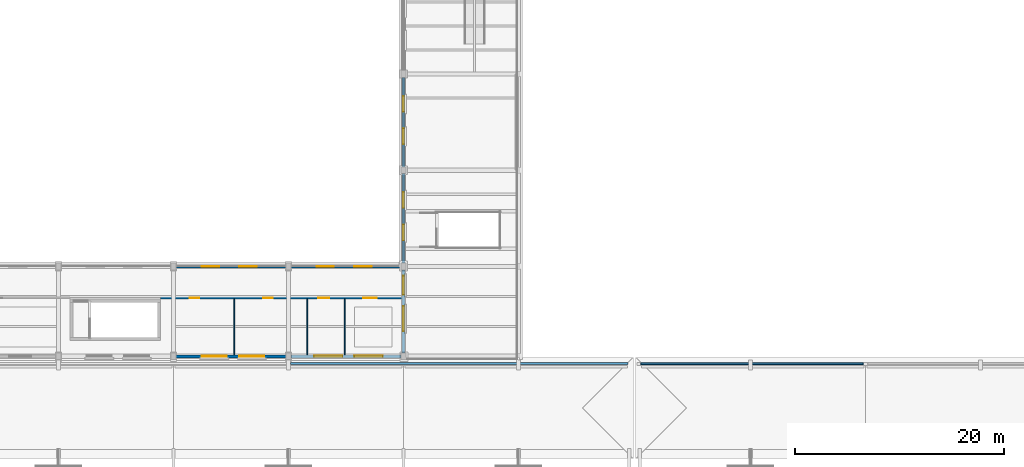
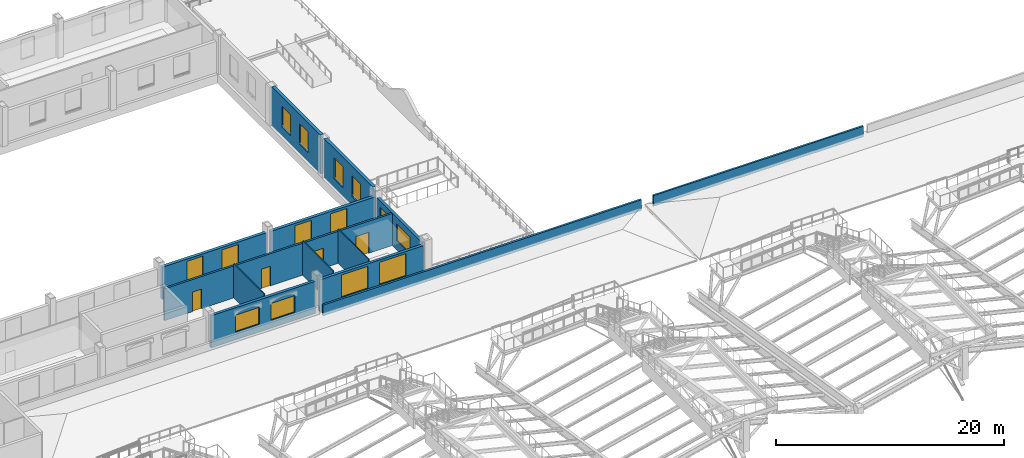
# One storey, part 24 of 43: 14 windows, 13 walls, 4 doors, 18 openings.
"""IFC4 building model written with IfcOpenShell, lengths in metres."""

from ifc_helpers import new_model, si_unit, direction, frame, frame_2d, origin, place, context, subcontext, project, spatial, rectangle, extrude, material, layer, layer_set, type_object, element, fill, save


model = new_model("IFC4")

# Units and contexts
model_context = context("Model", 3, precision=1e-05, world=origin(), true_north=direction((0.0, 1.0)))
body_context = subcontext(model_context, "Body", "Model", "MODEL_VIEW")
ifc_project = project(units=[si_unit("LENGTHUNIT", "METRE"), si_unit("AREAUNIT", "SQUARE_METRE"), si_unit("VOLUMEUNIT", "CUBIC_METRE"), si_unit("PLANEANGLEUNIT", "RADIAN"), si_unit("MASSUNIT", "GRAM", prefix="KILO")], contexts=[model_context])

# Site, building, storey
site_placement = place(None, origin())
site = spatial("IfcSite", under=ifc_project, at=site_placement, CompositionType="ELEMENT")
building_placement = place(site_placement, origin())
building = spatial("IfcBuilding", under=site, at=building_placement, Name="Caurita Quay Ferry Terminal", CompositionType="ELEMENT")
storey_placement = place(building_placement, frame((0.0, 0.0, 14.10009765625)))
storey = spatial("IfcBuildingStorey", under=building, at=storey_placement, Name="L03", CompositionType="ELEMENT", Elevation=14.10009765625)

# Wall, openings, doors
ifc_material_1 = material(Name="Warm-white lime stucco masonry", Category="masonry")
ifc_layer_1 = layer(ifc_material_1, 0.199951171875, Name="Interior partitioning wall 200 mm")
ifc_layer_set_1 = layer_set([ifc_layer_1], Name="Warm-white lime stucco masonry")
wall_type_1 = type_object("IfcWallType", Name="WL-CORR-200", PredefinedType="PARTITIONING", material=ifc_layer_set_1)
wall_1_placement = place(storey_placement, frame((42.760009765625, 77.199951171875, 0.0), z_axis=(0.0, 0.0, 1.0), x_axis=(1.0, 0.0, 0.0)))
wall_1 = element("IfcWall", 1, at=wall_1_placement, inside=storey, type_object=wall_type_1, Name="L03 Interior Partition IW-L03-111", PredefinedType="PARTITIONING", context=body_context, shape_type="SweptSolid", body=[
    extrude(rectangle(XDim=23.094970703125, YDim=0.199951171875, at=frame_2d((11.54736328125, 0.0))), origin(), (0.0, 0.0, 1.0), 3.43896484375),
])
opening_1_placement = place(wall_1_placement, frame((2.800048828125, 0.0, 0.0)))
opening_1 = element("IfcOpeningElement", 2, at=opening_1_placement, cuts=wall_1, Name="Opening ID-07", PredefinedType="OPENING", context=body_context, shape_type="SweptSolid", body=[
    extrude(rectangle(XDim=0.919921875, YDim=2.10009765625, at=frame_2d((0.4599609375, 1.050048828125))), frame((0.0, 0.10986328125, 0.0), z_axis=(0.0, -1.0, 0.0), x_axis=(1.0, 0.0, 0.0)), (0.0, 0.0, 1.0), 0.219970703125),
])
opening_2_placement = place(wall_1_placement, frame((9.800048828125, 0.0, 0.0)))
opening_2 = element("IfcOpeningElement", 3, at=opening_2_placement, cuts=wall_1, Name="Opening ID-07", PredefinedType="OPENING", context=body_context, shape_type="SweptSolid", body=[
    extrude(rectangle(XDim=0.919921875, YDim=2.10009765625, at=frame_2d((0.4599609375, 1.050048828125))), frame((0.0, 0.10986328125, 0.0), z_axis=(0.0, -1.0, 0.0), x_axis=(1.0, 0.0, 0.0)), (0.0, 0.0, 1.0), 0.219970703125),
])
opening_3_placement = place(wall_1_placement, frame((15.10009765625, 0.0, 0.0)))
opening_3 = element("IfcOpeningElement", 4, at=opening_3_placement, cuts=wall_1, Name="Opening ID-08", PredefinedType="OPENING", context=body_context, shape_type="SweptSolid", body=[
    extrude(rectangle(XDim=1.02001953125, YDim=2.14990234375, at=frame_2d((0.510009765625, 1.074951171875))), frame((0.0, 0.10986328125, 0.0), z_axis=(0.0, -1.0, 0.0), x_axis=(1.0, 0.0, 0.0)), (0.0, 0.0, 1.0), 0.219970703125),
])
opening_4_placement = place(wall_1_placement, frame((19.39990234375, 0.0, 0.0)))
opening_4 = element("IfcOpeningElement", 5, at=opening_4_placement, cuts=wall_1, Name="Opening ID-12", PredefinedType="OPENING", context=body_context, shape_type="SweptSolid", body=[
    extrude(rectangle(XDim=1.300048828125, YDim=2.25, at=frame_2d((0.64990234375, 1.125))), frame((0.0, 0.10986328125, 0.0), z_axis=(0.0, -1.0, 0.0), x_axis=(1.0, 0.0, 0.0)), (0.0, 0.0, 1.0), 0.219970703125),
])
ifc_material_2 = material(Name="Tropical mahogany hardwood", Category="wood")
door_type_1 = type_object("IfcDoorType", Name="DR-AWC-1020", OperationType="NOTDEFINED", PredefinedType="DOOR", material=ifc_material_2)
door_1_placement = place(opening_3_placement, origin())
door_1 = element("IfcDoor", 6, at=door_1_placement, inside=storey, type_object=door_type_1, Name="Harbour Master Accessible WC L03 Door", OperationType="SINGLE_SWING_LEFT", OverallHeight=2.14990234375, OverallWidth=1.02001953125, PredefinedType="DOOR", context=body_context, shape_type="SweptSolid", body=[
    extrude(rectangle(XDim=1.02001953125, YDim=2.14990234375, at=frame_2d((0.510009765625, 1.074951171875))), frame((0.0, 0.02490234375, 0.0), z_axis=(0.0, -1.0, 0.0), x_axis=(1.0, 0.0, 0.0)), (0.0, 0.0, 1.0), 0.050048828125),
])
fill(opening_3, door_1)
ifc_material_3 = material(Name="Anodized aluminium 6063-T6", Category="aluminium")
door_type_2 = type_object("IfcDoorType", Name="DR-STR-1300", OperationType="NOTDEFINED", PredefinedType="DOOR", material=ifc_material_3)
door_2_placement = place(opening_4_placement, frame((1.300048828125, 0.0, 0.0), z_axis=(0.0, 0.0, 1.0), x_axis=(-1.0, 0.0, 0.0)))
door_2 = element("IfcDoor", 7, at=door_2_placement, inside=storey, type_object=door_type_2, Name="Harbour Master Cleaners Store L03 Door", OperationType="SINGLE_SWING_RIGHT", OverallHeight=2.25, OverallWidth=1.300048828125, PredefinedType="DOOR", context=body_context, shape_type="SweptSolid", body=[
    extrude(rectangle(XDim=1.300048828125, YDim=2.25, at=frame_2d((0.64990234375, 1.125))), frame((0.0, 0.02490234375, 0.0), z_axis=(0.0, -1.0, 0.0), x_axis=(1.0, 0.0, 0.0)), (0.0, 0.0, 1.0), 0.050048828125),
])
fill(opening_4, door_2)
door_type_3 = type_object("IfcDoorType", Name="DR-WC-0920", OperationType="NOTDEFINED", PredefinedType="DOOR", material=ifc_material_2)
door_3_placement = place(opening_1_placement, origin())
door_3 = element("IfcDoor", 8, at=door_3_placement, inside=storey, type_object=door_type_3, Name="Harbour Master Male WC L03 Door", OperationType="SINGLE_SWING_LEFT", OverallHeight=2.10009765625, OverallWidth=0.919921875, PredefinedType="DOOR", context=body_context, shape_type="SweptSolid", body=[
    extrude(rectangle(XDim=0.919921875, YDim=2.10009765625, at=frame_2d((0.4599609375, 1.050048828125))), frame((0.0, 0.02490234375, 0.0), z_axis=(0.0, -1.0, 0.0), x_axis=(1.0, 0.0, 0.0)), (0.0, 0.0, 1.0), 0.050048828125),
])
fill(opening_1, door_3)
door_4_placement = place(opening_2_placement, frame((0.919921875, 0.0, 0.0), z_axis=(0.0, 0.0, 1.0), x_axis=(-1.0, 0.0, 0.0)))
door_4 = element("IfcDoor", 9, at=door_4_placement, inside=storey, type_object=door_type_3, Name="Harbour Master Female WC L03 Door", OperationType="SINGLE_SWING_RIGHT", OverallHeight=2.10009765625, OverallWidth=0.919921875, PredefinedType="DOOR", context=body_context, shape_type="SweptSolid", body=[
    extrude(rectangle(XDim=0.919921875, YDim=2.10009765625, at=frame_2d((0.4599609375, 1.050048828125))), frame((0.0, 0.02490234375, 0.0), z_axis=(0.0, -1.0, 0.0), x_axis=(1.0, 0.0, 0.0)), (0.0, 0.0, 1.0), 0.050048828125),
])
fill(opening_2, door_4)

# Wall, openings, windows
ifc_layer_2 = layer(ifc_material_1, 0.280029296875, Name="Exterior solidwall wall 280 mm")
ifc_layer_set_2 = layer_set([ifc_layer_2], Name="Warm-white lime stucco masonry")
wall_type_2 = type_object("IfcWallType", Name="WL-EXT-280", PredefinedType="SOLIDWALL", material=ifc_layer_set_2)
wall_2_placement = place(storey_placement, frame((44.222900390625, 71.60009765625, 0.0), z_axis=(0.0, 0.0, 1.0), x_axis=(1.0, 0.0, 0.0)))
wall_2 = element("IfcWall", 10, at=wall_2_placement, inside=storey, type_object=wall_type_2, Name="L03 Exterior Wall EW-L03-080", PredefinedType="SOLIDWALL", context=body_context, shape_type="SweptSolid", body=[
    extrude(rectangle(XDim=10.55419921875, YDim=0.280029296875, at=frame_2d((5.277099609375, 0.0))), origin(), (0.0, 0.0, 1.0), 3.4462890625),
])
opening_5_placement = place(wall_2_placement, frame((2.47705078125, 0.0, 0.85009765625)))
opening_5 = element("IfcOpeningElement", 11, at=opening_5_placement, cuts=wall_2, Name="Opening W-13", PredefinedType="OPENING", context=body_context, shape_type="SweptSolid", body=[
    extrude(rectangle(XDim=2.39990234375, YDim=1.800048828125, at=frame_2d((1.199951171875, 0.89990234375))), frame((0.0, 0.14990234375, 0.0), z_axis=(0.0, -1.0, 0.0), x_axis=(1.0, 0.0, 0.0)), (0.0, 0.0, 1.0), 0.300048828125),
])
opening_6_placement = place(wall_2_placement, frame((6.076904296875, 0.0, 0.85009765625)))
opening_6 = element("IfcOpeningElement", 12, at=opening_6_placement, cuts=wall_2, Name="Opening W-13", PredefinedType="OPENING", context=body_context, shape_type="SweptSolid", body=[
    extrude(rectangle(XDim=2.39990234375, YDim=1.800048828125, at=frame_2d((1.199951171875, 0.89990234375))), frame((0.0, 0.14990234375, 0.0), z_axis=(0.0, -1.0, 0.0), x_axis=(1.0, 0.0, 0.0)), (0.0, 0.0, 1.0), 0.300048828125),
])
ifc_material_4 = material(Name="Laminated solar-control insulated glass", Category="glass")
window_type_1 = type_object("IfcWindowType", Name="WIN-SC-2418", PartitioningType="SINGLE_PANEL", PredefinedType="WINDOW", material=ifc_material_4)
window_1_placement = place(opening_5_placement, origin())
window_1 = element("IfcWindow", 13, at=window_1_placement, inside=storey, type_object=window_type_1, Name="L03 Casement Window WN-L03-119", OverallHeight=1.800048828125, OverallWidth=2.39990234375, PartitioningType="SINGLE_PANEL", PredefinedType="WINDOW", context=body_context, shape_type="SweptSolid", body=[
    extrude(rectangle(XDim=2.39990234375, YDim=1.800048828125, at=frame_2d((1.199951171875, 0.89990234375))), frame((0.0, 0.030029296875, 0.0), z_axis=(0.0, -1.0, 0.0), x_axis=(1.0, 0.0, 0.0)), (0.0, 0.0, 1.0), 0.06005859375),
])
fill(opening_5, window_1)
window_2_placement = place(opening_6_placement, origin())
window_2 = element("IfcWindow", 14, at=window_2_placement, inside=storey, type_object=window_type_1, Name="L03 Casement Window WN-L03-120", OverallHeight=1.800048828125, OverallWidth=2.39990234375, PartitioningType="SINGLE_PANEL", PredefinedType="WINDOW", context=body_context, shape_type="SweptSolid", body=[
    extrude(rectangle(XDim=2.39990234375, YDim=1.800048828125, at=frame_2d((1.199951171875, 0.89990234375))), frame((0.0, 0.030029296875, 0.0), z_axis=(0.0, -1.0, 0.0), x_axis=(1.0, 0.0, 0.0)), (0.0, 0.0, 1.0), 0.06005859375),
])
fill(opening_6, window_2)

wall_3_placement = place(storey_placement, frame((55.222900390625, 71.60009765625, 0.0), z_axis=(0.0, 0.0, 1.0), x_axis=(1.0, 0.0, 0.0)))
wall_3 = element("IfcWall", 15, at=wall_3_placement, inside=storey, type_object=wall_type_2, Name="L03 Exterior Wall EW-L03-081", PredefinedType="SOLIDWALL", context=body_context, shape_type="SweptSolid", body=[
    extrude(rectangle(XDim=10.55419921875, YDim=0.280029296875, at=frame_2d((5.277099609375, 0.0))), origin(), (0.0, 0.0, 1.0), 3.4462890625),
])
opening_7_placement = place(wall_3_placement, frame((2.22705078125, 0.0, 0.800048828125)))
opening_7 = element("IfcOpeningElement", 16, at=opening_7_placement, cuts=wall_3, Name="Opening W-15", PredefinedType="OPENING", context=body_context, shape_type="SweptSolid", body=[
    extrude(rectangle(XDim=2.699951171875, YDim=2.39990234375, at=frame_2d((1.35009765625, 1.199951171875))), frame((0.0, 0.14990234375, 0.0), z_axis=(0.0, -1.0, 0.0), x_axis=(1.0, 0.0, 0.0)), (0.0, 0.0, 1.0), 0.300048828125),
])
opening_8_placement = place(wall_3_placement, frame((6.076904296875, 0.0, 0.800048828125)))
opening_8 = element("IfcOpeningElement", 17, at=opening_8_placement, cuts=wall_3, Name="Opening W-15", PredefinedType="OPENING", context=body_context, shape_type="SweptSolid", body=[
    extrude(rectangle(XDim=2.699951171875, YDim=2.39990234375, at=frame_2d((1.35009765625, 1.199951171875))), frame((0.0, 0.14990234375, 0.0), z_axis=(0.0, -1.0, 0.0), x_axis=(1.0, 0.0, 0.0)), (0.0, 0.0, 1.0), 0.300048828125),
])
window_type_2 = type_object("IfcWindowType", Name="WIN-SC-2724", PartitioningType="SINGLE_PANEL", PredefinedType="WINDOW", material=ifc_material_4)
window_3_placement = place(opening_7_placement, origin())
window_3 = element("IfcWindow", 18, at=window_3_placement, inside=storey, type_object=window_type_2, Name="L03 Casement Window WN-L03-121", OverallHeight=2.39990234375, OverallWidth=2.699951171875, PartitioningType="SINGLE_PANEL", PredefinedType="WINDOW", context=body_context, shape_type="SweptSolid", body=[
    extrude(rectangle(XDim=2.699951171875, YDim=2.39990234375, at=frame_2d((1.35009765625, 1.199951171875))), frame((0.0, 0.030029296875, 0.0), z_axis=(0.0, -1.0, 0.0), x_axis=(1.0, 0.0, 0.0)), (0.0, 0.0, 1.0), 0.06005859375),
])
fill(opening_7, window_3)
window_4_placement = place(opening_8_placement, origin())
window_4 = element("IfcWindow", 19, at=window_4_placement, inside=storey, type_object=window_type_2, Name="L03 Casement Window WN-L03-122", OverallHeight=2.39990234375, OverallWidth=2.699951171875, PartitioningType="SINGLE_PANEL", PredefinedType="WINDOW", context=body_context, shape_type="SweptSolid", body=[
    extrude(rectangle(XDim=2.699951171875, YDim=2.39990234375, at=frame_2d((1.35009765625, 1.199951171875))), frame((0.0, 0.030029296875, 0.0), z_axis=(0.0, -1.0, 0.0), x_axis=(1.0, 0.0, 0.0)), (0.0, 0.0, 1.0), 0.06005859375),
])
fill(opening_8, window_4)

wall_4_placement = place(storey_placement, frame((66.0, 71.923095703125, 0.0), z_axis=(0.0, 0.0, 1.0), x_axis=(0.0, 1.0, 0.0)))
wall_4 = element("IfcWall", 20, at=wall_4_placement, inside=storey, type_object=wall_type_2, Name="L03 Exterior Wall EW-L03-098", PredefinedType="SOLIDWALL", context=body_context, shape_type="SweptSolid", body=[
    extrude(rectangle(XDim=7.953857421875, YDim=0.280029296875, at=frame_2d((3.97705078125, 0.0))), origin(), (0.0, 0.0, 1.0), 3.44921875),
])
opening_9_placement = place(wall_4_placement, frame((2.076904296875, 0.0, 0.949951171875)))
opening_9 = element("IfcOpeningElement", 21, at=opening_9_placement, cuts=wall_4, Name="Opening W-13", PredefinedType="OPENING", context=body_context, shape_type="SweptSolid", body=[
    extrude(rectangle(XDim=2.39990234375, YDim=1.800048828125, at=frame_2d((1.199951171875, 0.89990234375))), frame((0.0, 0.14990234375, 0.0), z_axis=(0.0, -1.0, 0.0), x_axis=(1.0, 0.0, 0.0)), (0.0, 0.0, 1.0), 0.300048828125),
])
opening_10_placement = place(wall_4_placement, frame((5.576904296875, 0.0, 0.949951171875)))
opening_10 = element("IfcOpeningElement", 22, at=opening_10_placement, cuts=wall_4, Name="Opening W-09", PredefinedType="OPENING", context=body_context, shape_type="SweptSolid", body=[
    extrude(rectangle(XDim=1.800048828125, YDim=1.800048828125, at=frame_2d((0.89990234375, 0.89990234375))), frame((0.0, 0.14990234375, 0.0), z_axis=(0.0, -1.0, 0.0), x_axis=(1.0, 0.0, 0.0)), (0.0, 0.0, 1.0), 0.300048828125),
])
window_type_3 = type_object("IfcWindowType", Name="WIN-SC-1818", PartitioningType="SINGLE_PANEL", PredefinedType="WINDOW", material=ifc_material_4)
window_5_placement = place(opening_10_placement, origin())
window_5 = element("IfcWindow", 23, at=window_5_placement, inside=storey, type_object=window_type_3, Name="L03 Casement Window WN-L03-150", OverallHeight=1.800048828125, OverallWidth=1.800048828125, PartitioningType="SINGLE_PANEL", PredefinedType="WINDOW", context=body_context, shape_type="SweptSolid", body=[
    extrude(rectangle(XDim=1.800048828125, YDim=1.800048828125, at=frame_2d((0.89990234375, 0.89990234375))), frame((0.0, 0.030029296875, 0.0), z_axis=(0.0, -1.0, 0.0), x_axis=(1.0, 0.0, 0.0)), (0.0, 0.0, 1.0), 0.06005859375),
])
fill(opening_10, window_5)
window_6_placement = place(opening_9_placement, origin())
window_6 = element("IfcWindow", 24, at=window_6_placement, inside=storey, type_object=window_type_1, Name="L03 Casement Window WN-L03-149", OverallHeight=1.800048828125, OverallWidth=2.39990234375, PartitioningType="SINGLE_PANEL", PredefinedType="WINDOW", context=body_context, shape_type="SweptSolid", body=[
    extrude(rectangle(XDim=2.39990234375, YDim=1.800048828125, at=frame_2d((1.199951171875, 0.89990234375))), frame((0.0, 0.030029296875, 0.0), z_axis=(0.0, -1.0, 0.0), x_axis=(1.0, 0.0, 0.0)), (0.0, 0.0, 1.0), 0.06005859375),
])
fill(opening_9, window_6)

ifc_layer_3 = layer(ifc_material_1, 0.31005859375, Name="Exterior solidwall wall 310 mm")
ifc_layer_set_3 = layer_set([ifc_layer_3], Name="Warm-white lime stucco masonry")
wall_type_3 = type_object("IfcWallType", Name="WL-EXT-310", PredefinedType="SOLIDWALL", material=ifc_layer_set_3)
wall_5_placement = place(storey_placement, frame((44.222900390625, 80.199951171875, 0.0), z_axis=(0.0, 0.0, 1.0), x_axis=(1.0, 0.0, 0.0)))
wall_5 = element("IfcWall", 25, at=wall_5_placement, inside=storey, type_object=wall_type_3, Name="L03 Exterior Wall EW-L03-116", PredefinedType="SOLIDWALL", context=body_context, shape_type="SweptSolid", body=[
    extrude(rectangle(XDim=10.55419921875, YDim=0.31005859375, at=frame_2d((5.277099609375, 0.0))), origin(), (0.0, 0.0, 1.0), 3.4462890625),
])
opening_11_placement = place(wall_5_placement, frame((2.47705078125, 0.0, 0.949951171875)))
opening_11 = element("IfcOpeningElement", 26, at=opening_11_placement, cuts=wall_5, Name="Opening W-08", PredefinedType="OPENING", context=body_context, shape_type="SweptSolid", body=[
    extrude(rectangle(XDim=1.64990234375, YDim=2.25, at=frame_2d((0.824951171875, 1.125))), frame((0.0, 0.1650390625, 0.0), z_axis=(0.0, -1.0, 0.0), x_axis=(1.0, 0.0, 0.0)), (0.0, 0.0, 1.0), 0.330078125),
])
opening_12_placement = place(wall_5_placement, frame((6.076904296875, 0.0, 0.949951171875)))
opening_12 = element("IfcOpeningElement", 27, at=opening_12_placement, cuts=wall_5, Name="Opening W-08", PredefinedType="OPENING", context=body_context, shape_type="SweptSolid", body=[
    extrude(rectangle(XDim=1.64990234375, YDim=2.25, at=frame_2d((0.824951171875, 1.125))), frame((0.0, 0.1650390625, 0.0), z_axis=(0.0, -1.0, 0.0), x_axis=(1.0, 0.0, 0.0)), (0.0, 0.0, 1.0), 0.330078125),
])
window_type_4 = type_object("IfcWindowType", Name="WIN-SC-16522", PartitioningType="SINGLE_PANEL", PredefinedType="WINDOW", material=ifc_material_4)
window_7_placement = place(opening_11_placement, origin())
window_7 = element("IfcWindow", 28, at=window_7_placement, inside=storey, type_object=window_type_4, Name="L03 Casement Window WN-L03-171", OverallHeight=2.25, OverallWidth=1.64990234375, PartitioningType="SINGLE_PANEL", PredefinedType="WINDOW", context=body_context, shape_type="SweptSolid", body=[
    extrude(rectangle(XDim=1.64990234375, YDim=2.25, at=frame_2d((0.824951171875, 1.125))), frame((0.0, 0.030029296875, 0.0), z_axis=(0.0, -1.0, 0.0), x_axis=(1.0, 0.0, 0.0)), (0.0, 0.0, 1.0), 0.06005859375),
])
fill(opening_11, window_7)
window_8_placement = place(opening_12_placement, origin())
window_8 = element("IfcWindow", 29, at=window_8_placement, inside=storey, type_object=window_type_4, Name="L03 Casement Window WN-L03-172", OverallHeight=2.25, OverallWidth=1.64990234375, PartitioningType="SINGLE_PANEL", PredefinedType="WINDOW", context=body_context, shape_type="SweptSolid", body=[
    extrude(rectangle(XDim=1.64990234375, YDim=2.25, at=frame_2d((0.824951171875, 1.125))), frame((0.0, 0.030029296875, 0.0), z_axis=(0.0, -1.0, 0.0), x_axis=(1.0, 0.0, 0.0)), (0.0, 0.0, 1.0), 0.06005859375),
])
fill(opening_12, window_8)

wall_6_placement = place(storey_placement, frame((55.222900390625, 80.199951171875, 0.0), z_axis=(0.0, 0.0, 1.0), x_axis=(1.0, 0.0, 0.0)))
wall_6 = element("IfcWall", 30, at=wall_6_placement, inside=storey, type_object=wall_type_3, Name="L03 Exterior Wall EW-L03-117", PredefinedType="SOLIDWALL", context=body_context, shape_type="SweptSolid", body=[
    extrude(rectangle(XDim=10.55419921875, YDim=0.31005859375, at=frame_2d((5.277099609375, 0.0))), origin(), (0.0, 0.0, 1.0), 3.4462890625),
])
opening_13_placement = place(wall_6_placement, frame((2.47705078125, 0.0, 0.949951171875)))
opening_13 = element("IfcOpeningElement", 31, at=opening_13_placement, cuts=wall_6, Name="Opening W-08", PredefinedType="OPENING", context=body_context, shape_type="SweptSolid", body=[
    extrude(rectangle(XDim=1.64990234375, YDim=2.25, at=frame_2d((0.824951171875, 1.125))), frame((0.0, 0.1650390625, 0.0), z_axis=(0.0, -1.0, 0.0), x_axis=(1.0, 0.0, 0.0)), (0.0, 0.0, 1.0), 0.330078125),
])
opening_14_placement = place(wall_6_placement, frame((6.076904296875, 0.0, 0.949951171875)))
opening_14 = element("IfcOpeningElement", 32, at=opening_14_placement, cuts=wall_6, Name="Opening W-08", PredefinedType="OPENING", context=body_context, shape_type="SweptSolid", body=[
    extrude(rectangle(XDim=1.64990234375, YDim=2.25, at=frame_2d((0.824951171875, 1.125))), frame((0.0, 0.1650390625, 0.0), z_axis=(0.0, -1.0, 0.0), x_axis=(1.0, 0.0, 0.0)), (0.0, 0.0, 1.0), 0.330078125),
])
window_9_placement = place(opening_13_placement, origin())
window_9 = element("IfcWindow", 33, at=window_9_placement, inside=storey, type_object=window_type_4, Name="L03 Casement Window WN-L03-173", OverallHeight=2.25, OverallWidth=1.64990234375, PartitioningType="SINGLE_PANEL", PredefinedType="WINDOW", context=body_context, shape_type="SweptSolid", body=[
    extrude(rectangle(XDim=1.64990234375, YDim=2.25, at=frame_2d((0.824951171875, 1.125))), frame((0.0, 0.030029296875, 0.0), z_axis=(0.0, -1.0, 0.0), x_axis=(1.0, 0.0, 0.0)), (0.0, 0.0, 1.0), 0.06005859375),
])
fill(opening_13, window_9)
window_10_placement = place(opening_14_placement, origin())
window_10 = element("IfcWindow", 34, at=window_10_placement, inside=storey, type_object=window_type_4, Name="L03 Casement Window WN-L03-174", OverallHeight=2.25, OverallWidth=1.64990234375, PartitioningType="SINGLE_PANEL", PredefinedType="WINDOW", context=body_context, shape_type="SweptSolid", body=[
    extrude(rectangle(XDim=1.64990234375, YDim=2.25, at=frame_2d((0.824951171875, 1.125))), frame((0.0, 0.030029296875, 0.0), z_axis=(0.0, -1.0, 0.0), x_axis=(1.0, 0.0, 0.0)), (0.0, 0.0, 1.0), 0.06005859375),
])
fill(opening_14, window_10)

wall_7_placement = place(storey_placement, frame((66.0, 80.52294921875, 0.0), z_axis=(0.0, 0.0, 1.0), x_axis=(0.0, 1.0, 0.0)))
wall_7 = element("IfcWall", 35, at=wall_7_placement, inside=storey, type_object=wall_type_3, Name="L03 Exterior Wall EW-L03-143", PredefinedType="SOLIDWALL", context=body_context, shape_type="SweptSolid", body=[
    extrude(rectangle(XDim=8.553955078125, YDim=0.31005859375, at=frame_2d((4.27685546875, 0.0))), origin(), (0.0, 0.0, 1.0), 4.199951171875),
])
opening_15_placement = place(wall_7_placement, frame((2.177001953125, 0.0, 0.949951171875)))
opening_15 = element("IfcOpeningElement", 36, at=opening_15_placement, cuts=wall_7, Name="Opening W-07", PredefinedType="OPENING", context=body_context, shape_type="SweptSolid", body=[
    extrude(rectangle(XDim=1.5, YDim=2.25, at=frame_2d((0.75, 1.125))), frame((0.0, 0.1650390625, 0.0), z_axis=(0.0, -1.0, 0.0), x_axis=(1.0, 0.0, 0.0)), (0.0, 0.0, 1.0), 0.330078125),
])
opening_16_placement = place(wall_7_placement, frame((5.277099609375, 0.0, 0.949951171875)))
opening_16 = element("IfcOpeningElement", 37, at=opening_16_placement, cuts=wall_7, Name="Opening W-07", PredefinedType="OPENING", context=body_context, shape_type="SweptSolid", body=[
    extrude(rectangle(XDim=1.5, YDim=2.25, at=frame_2d((0.75, 1.125))), frame((0.0, 0.1650390625, 0.0), z_axis=(0.0, -1.0, 0.0), x_axis=(1.0, 0.0, 0.0)), (0.0, 0.0, 1.0), 0.330078125),
])
window_type_5 = type_object("IfcWindowType", Name="WIN-SC-1522", PartitioningType="SINGLE_PANEL", PredefinedType="WINDOW", material=ifc_material_4)
window_11_placement = place(opening_15_placement, origin())
window_11 = element("IfcWindow", 38, at=window_11_placement, inside=storey, type_object=window_type_5, Name="L03 Casement Window WN-L03-225", OverallHeight=2.25, OverallWidth=1.5, PartitioningType="SINGLE_PANEL", PredefinedType="WINDOW", context=body_context, shape_type="SweptSolid", body=[
    extrude(rectangle(XDim=1.5, YDim=2.25, at=frame_2d((0.75, 1.125))), frame((0.0, 0.030029296875, 0.0), z_axis=(0.0, -1.0, 0.0), x_axis=(1.0, 0.0, 0.0)), (0.0, 0.0, 1.0), 0.06005859375),
])
fill(opening_15, window_11)
window_12_placement = place(opening_16_placement, origin())
window_12 = element("IfcWindow", 39, at=window_12_placement, inside=storey, type_object=window_type_5, Name="L03 Casement Window WN-L03-226", OverallHeight=2.25, OverallWidth=1.5, PartitioningType="SINGLE_PANEL", PredefinedType="WINDOW", context=body_context, shape_type="SweptSolid", body=[
    extrude(rectangle(XDim=1.5, YDim=2.25, at=frame_2d((0.75, 1.125))), frame((0.0, 0.030029296875, 0.0), z_axis=(0.0, -1.0, 0.0), x_axis=(1.0, 0.0, 0.0)), (0.0, 0.0, 1.0), 0.06005859375),
])
fill(opening_16, window_12)

wall_8_placement = place(storey_placement, frame((66.0, 89.722900390625, 0.0), z_axis=(0.0, 0.0, 1.0), x_axis=(0.0, 1.0, 0.0)))
wall_8 = element("IfcWall", 40, at=wall_8_placement, inside=storey, type_object=wall_type_3, Name="L03 Exterior Wall EW-L03-144", PredefinedType="SOLIDWALL", context=body_context, shape_type="SweptSolid", body=[
    extrude(rectangle(XDim=8.55419921875, YDim=0.31005859375, at=frame_2d((4.277099609375, 0.0))), origin(), (0.0, 0.0, 1.0), 4.199951171875),
])
opening_17_placement = place(wall_8_placement, frame((2.177001953125, 0.0, 0.949951171875)))
opening_17 = element("IfcOpeningElement", 41, at=opening_17_placement, cuts=wall_8, Name="Opening W-07", PredefinedType="OPENING", context=body_context, shape_type="SweptSolid", body=[
    extrude(rectangle(XDim=1.5, YDim=2.25, at=frame_2d((0.75, 1.125))), frame((0.0, 0.1650390625, 0.0), z_axis=(0.0, -1.0, 0.0), x_axis=(1.0, 0.0, 0.0)), (0.0, 0.0, 1.0), 0.330078125),
])
opening_18_placement = place(wall_8_placement, frame((5.277099609375, 0.0, 0.949951171875)))
opening_18 = element("IfcOpeningElement", 42, at=opening_18_placement, cuts=wall_8, Name="Opening W-07", PredefinedType="OPENING", context=body_context, shape_type="SweptSolid", body=[
    extrude(rectangle(XDim=1.5, YDim=2.25, at=frame_2d((0.75, 1.125))), frame((0.0, 0.1650390625, 0.0), z_axis=(0.0, -1.0, 0.0), x_axis=(1.0, 0.0, 0.0)), (0.0, 0.0, 1.0), 0.330078125),
])
window_13_placement = place(opening_17_placement, origin())
window_13 = element("IfcWindow", 43, at=window_13_placement, inside=storey, type_object=window_type_5, Name="L03 Casement Window WN-L03-227", OverallHeight=2.25, OverallWidth=1.5, PartitioningType="SINGLE_PANEL", PredefinedType="WINDOW", context=body_context, shape_type="SweptSolid", body=[
    extrude(rectangle(XDim=1.5, YDim=2.25, at=frame_2d((0.75, 1.125))), frame((0.0, 0.030029296875, 0.0), z_axis=(0.0, -1.0, 0.0), x_axis=(1.0, 0.0, 0.0)), (0.0, 0.0, 1.0), 0.06005859375),
])
fill(opening_17, window_13)
window_14_placement = place(opening_18_placement, origin())
window_14 = element("IfcWindow", 44, at=window_14_placement, inside=storey, type_object=window_type_5, Name="L03 Casement Window WN-L03-228", OverallHeight=2.25, OverallWidth=1.5, PartitioningType="SINGLE_PANEL", PredefinedType="WINDOW", context=body_context, shape_type="SweptSolid", body=[
    extrude(rectangle(XDim=1.5, YDim=2.25, at=frame_2d((0.75, 1.125))), frame((0.0, 0.030029296875, 0.0), z_axis=(0.0, -1.0, 0.0), x_axis=(1.0, 0.0, 0.0)), (0.0, 0.0, 1.0), 0.06005859375),
])
fill(opening_18, window_14)

# Walls
ifc_material_5 = material(Name="Coral stone ashlar cladding", Category="masonry")
ifc_layer_4 = layer(ifc_material_5, 0.18994140625, Name="Exterior parapet wall 190 mm")
ifc_layer_set_4 = layer_set([ifc_layer_4], Name="Coral stone ashlar cladding")
wall_type_4 = type_object("IfcWallType", Name="WL-PAR-190", PredefinedType="PARAPET", material=ifc_layer_set_4)
wall_9_placement = place(storey_placement, frame((88.699951171875, 70.89990234375, 0.0), z_axis=(0.0, 0.0, 1.0), x_axis=(1.0, 0.0, 0.0)))
element("IfcWall", 45, at=wall_9_placement, inside=storey, type_object=wall_type_4, Name="L03 Roof Parapet Wall 07", PredefinedType="PARAPET", context=body_context, shape_type="SweptSolid", body=[
    extrude(rectangle(XDim=21.300048828125, YDim=0.18994140625, at=frame_2d((10.64990234375, 0.0))), origin(), (0.0, 0.0, 1.0), 1.14990234375),
])
ifc_layer_5 = layer(ifc_material_1, 0.2099609375, Name="Exterior parapet wall 210 mm")
ifc_layer_set_5 = layer_set([ifc_layer_5], Name="Warm-white lime stucco masonry")
wall_type_5 = type_object("IfcWallType", Name="WL-PAR-210", PredefinedType="PARAPET", material=ifc_layer_set_5)
wall_10_placement = place(storey_placement, frame((55.199951171875, 70.89990234375, 0.0), z_axis=(0.0, 0.0, 1.0), x_axis=(1.0, 0.0, 0.0)))
element("IfcWall", 46, at=wall_10_placement, inside=storey, type_object=wall_type_5, Name="L03 Roof Parapet Wall 06", PredefinedType="PARAPET", context=body_context, shape_type="SweptSolid", body=[
    extrude(rectangle(XDim=32.300048828125, YDim=0.2099609375, at=frame_2d((16.14990234375, 0.0))), origin(), (0.0, 0.0, 1.0), 1.14990234375),
])
ifc_material_6 = material(Name="Gypsum board partition", Category="masonry")
ifc_layer_6 = layer(ifc_material_6, 0.10009765625, Name="Interior partitioning wall 100 mm")
ifc_layer_set_6 = layer_set([ifc_layer_6], Name="Gypsum board partition")
wall_type_6 = type_object("IfcWallType", Name="WL-PART-100", PredefinedType="PARTITIONING", material=ifc_layer_set_6)
for number, where, z_axis, x_axis, name in (
    (47, (49.800048828125, 71.7451171875, 0.0), (0.0, 0.0, 1.0), (0.0, 1.0, 0.0), "L03 Interior Partition IW-L03-112"),
    (48, (56.800048828125, 71.7451171875, 0.0), (0.0, 0.0, 1.0), (0.0, 1.0, 0.0), "L03 Interior Partition IW-L03-113"),
    (49, (60.39990234375, 71.7451171875, 0.0), (0.0, 0.0, 1.0), (0.0, 1.0, 0.0), "L03 Interior Partition IW-L03-114"),
):
    element("IfcWall", number, at=place(storey_placement, frame(where, z_axis=z_axis, x_axis=x_axis)), inside=storey, type_object=wall_type_6, Name=name, PredefinedType="PARTITIONING", context=body_context, shape_type="SweptSolid", body=[
        extrude(rectangle(XDim=5.349853515625, YDim=0.10009765625, at=frame_2d((2.6748046875, 0.0))), origin(), (0.0, 0.0, 1.0), 3.677734375),
    ])

save(model, "model.ifc")
